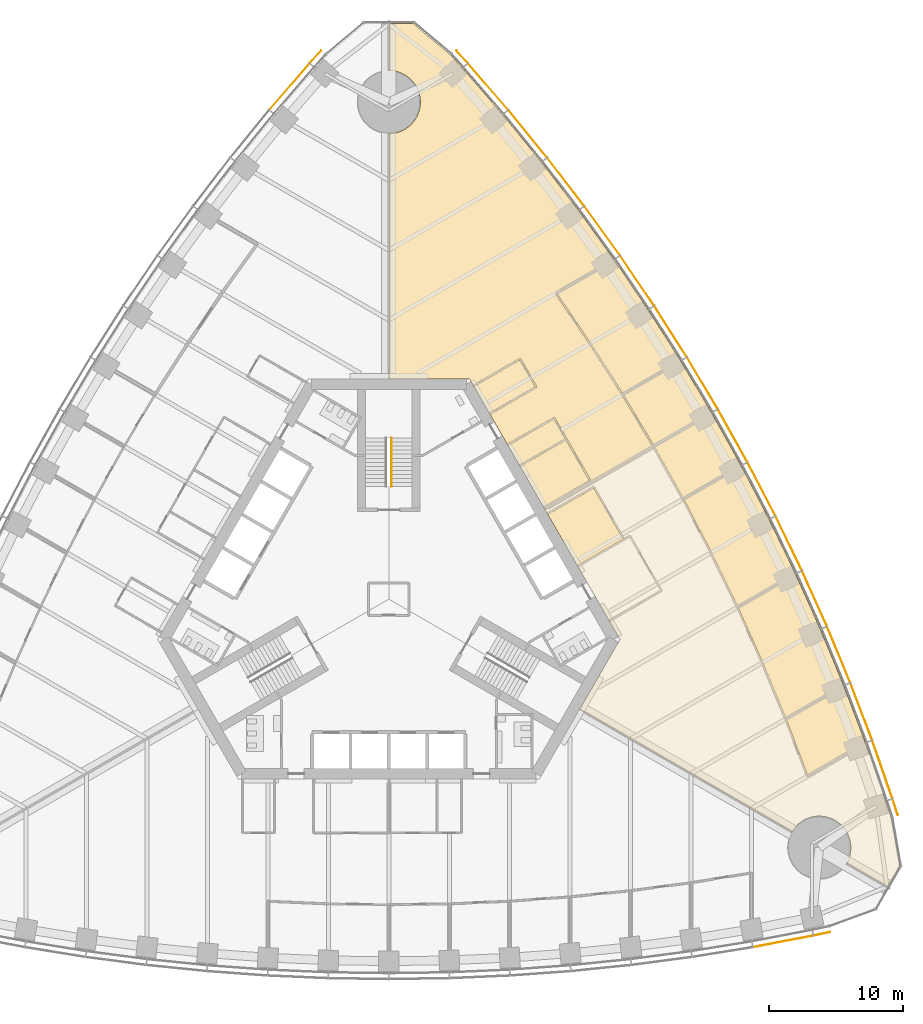
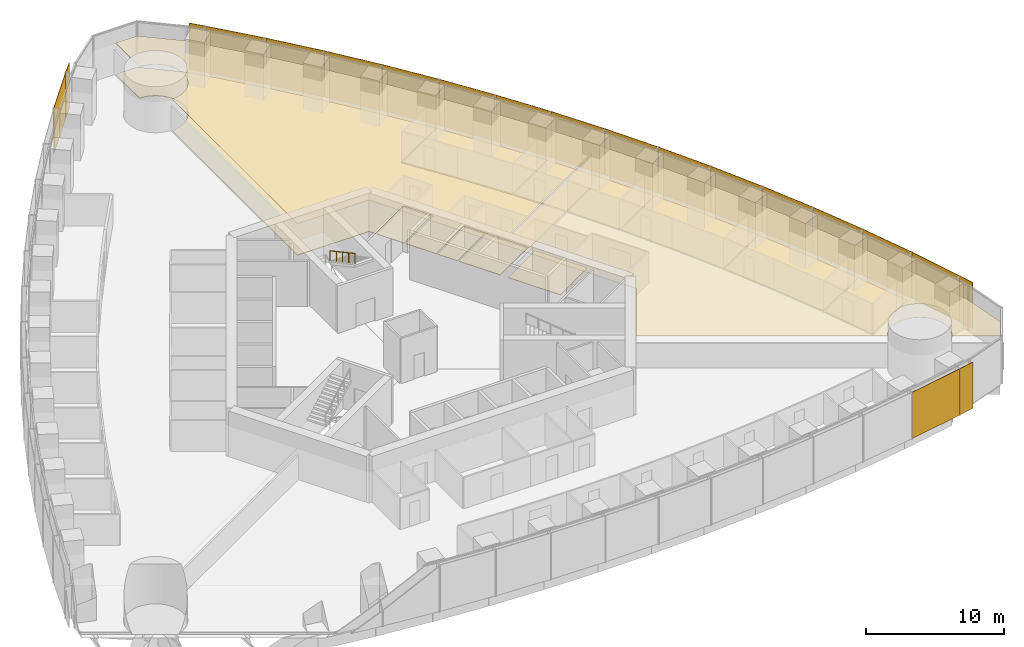
# One storey, part 17 of 19: 20 shading devices, 11 coverings, 1 railing.
"""IFC4 building model written with IfcOpenShell, lengths in metres."""

from ifc_helpers import new_model, si_unit, direction, frame, origin, origin_2d, place, context, subcontext, project, spatial, polyline, rectangle, circle, outline, extrude, material, layer, layer_set, type_object, element, save


model = new_model("IFC4")

# Units and contexts
model_context = context("Model", 3, precision=1e-05, world=origin(), true_north=direction((0.0, 1.0)))
body_context = subcontext(model_context, "Body", "Model", "MODEL_VIEW")
ifc_project = project(units=[si_unit("LENGTHUNIT", "METRE"), si_unit("AREAUNIT", "SQUARE_METRE"), si_unit("VOLUMEUNIT", "CUBIC_METRE"), si_unit("PLANEANGLEUNIT", "RADIAN"), si_unit("MASSUNIT", "GRAM", prefix="KILO")], contexts=[model_context])

# Site, building, storey
site_placement = place(None, origin())
site = spatial("IfcSite", under=ifc_project, at=site_placement, CompositionType="ELEMENT")
building_placement = place(site_placement, origin())
building = spatial("IfcBuilding", under=site, at=building_placement, Name="Trefoil Bronze Tower", CompositionType="ELEMENT")
storey_placement = place(building_placement, frame((0.0, 0.0, 20.699951171875)))
storey = spatial("IfcBuildingStorey", under=building, at=storey_placement, Name="L04", CompositionType="ELEMENT", Elevation=20.699951171875)

# Shading devices
ifc_material_1 = material(Name="Perforated bronze sheet", Category="bronze")
ifc_layer_1 = layer(ifc_material_1, 0.0400390625)
ifc_layer_set_1 = layer_set([ifc_layer_1], Name="Bronze solar screen panel")
shading_device_type = type_object("IfcShadingDeviceType", Name="Bronze solar screen panel", PredefinedType="SHUTTER", material=ifc_layer_set_1)
shading_device_1_placement = place(storey_placement, frame((29.351806640625, -25.478515625, 0.050048828125), z_axis=(0.0, 0.0, 1.0), x_axis=(0.982049823817, 0.188621694249, 0.0)))
element("IfcShadingDevice", 1, at=shading_device_1_placement, inside=storey, type_object=shading_device_type, Name="Solar screen CW-A L04 F1 bay 15", PredefinedType="SHUTTER", context=body_context, shape_type="SweptSolid", body=[
    extrude(rectangle(XDim=4.55224609375, YDim=0.0400390625, at=origin_2d()), origin(), (0.0, 0.0, 1.0), 4.10009765625),
])
for number, where, z_axis, x_axis, name in (
    (2, (32.2431640625, -24.91064453125, 0.050048828125), (0.0, 0.0, 1.0), (0.978302717041, 0.207180582657, 0.0), "Solar screen CW-A L04 F1 bay 16"),
    (3, (37.69482421875, -15.468017578125, 0.050048828125), (0.0, 0.0, 1.0), (-0.309727710769, 0.950825296877, 0.0), "Solar screen CW-A L04 F2 bay 1"),
):
    element("IfcShadingDevice", number, at=place(storey_placement, frame(where, z_axis=z_axis, x_axis=x_axis)), inside=storey, type_object=shading_device_type, Name=name, PredefinedType="SHUTTER", context=body_context, shape_type="SweptSolid", body=[
        extrude(rectangle(XDim=1.260498046875, YDim=0.0400390625, at=origin_2d()), origin(), (0.0, 0.0, 1.0), 4.10009765625),
    ])
shading_device_2_placement = place(storey_placement, frame((36.740966796875, -12.68017578125, 0.050048828125), z_axis=(0.0, 0.0, 1.0), x_axis=(-0.327673732984, 0.944790942332, 0.0)))
element("IfcShadingDevice", 4, at=shading_device_2_placement, inside=storey, type_object=shading_device_type, Name="Solar screen CW-A L04 F2 bay 2", PredefinedType="SHUTTER", context=body_context, shape_type="SweptSolid", body=[
    extrude(rectangle(XDim=4.55224609375, YDim=0.0400390625, at=origin_2d()), origin(), (0.0, 0.0, 1.0), 4.10009765625),
])
shading_device_3_placement = place(storey_placement, frame((35.1748046875, -8.3701171875, 0.050048828125), z_axis=(0.0, 0.0, 1.0), x_axis=(-0.355370585687, 0.934725492767, 0.0)))
element("IfcShadingDevice", 5, at=shading_device_3_placement, inside=storey, type_object=shading_device_type, Name="Solar screen CW-A L04 F2 bay 3", PredefinedType="SHUTTER", context=body_context, shape_type="SweptSolid", body=[
    extrude(rectangle(XDim=4.5283203125, YDim=0.0400390625, at=origin_2d()), origin(), (0.0, 0.0, 1.0), 4.10009765625),
])
shading_device_4_placement = place(storey_placement, frame((33.49072265625, -4.128173828125, 0.050048828125), z_axis=(0.0, 0.0, 1.0), x_axis=(-0.382629580712, 0.923901836758, 0.0)))
element("IfcShadingDevice", 6, at=shading_device_4_placement, inside=storey, type_object=shading_device_type, Name="Solar screen CW-A L04 F2 bay 4", PredefinedType="SHUTTER", context=body_context, shape_type="SweptSolid", body=[
    extrude(rectangle(XDim=4.5087890625, YDim=0.0400390625, at=origin_2d()), origin(), (0.0, 0.0, 1.0), 4.10009765625),
])
shading_device_5_placement = place(storey_placement, frame((31.68994140625, 0.04638671875, 0.050048828125), z_axis=(0.0, 0.0, 1.0), x_axis=(-0.40945635808, 0.912329705111, 0.0)))
element("IfcShadingDevice", 7, at=shading_device_5_placement, inside=storey, type_object=shading_device_type, Name="Solar screen CW-A L04 F2 bay 5", PredefinedType="SHUTTER", context=body_context, shape_type="SweptSolid", body=[
    extrude(rectangle(XDim=4.493408203125, YDim=0.0400390625, at=origin_2d()), origin(), (0.0, 0.0, 1.0), 4.10009765625),
])
shading_device_6_placement = place(storey_placement, frame((29.77392578125, 4.154541015625, 0.050048828125), z_axis=(0.0, 0.0, 1.0), x_axis=(-0.4358553457, 0.900016731858, 0.0)))
element("IfcShadingDevice", 8, at=shading_device_6_placement, inside=storey, type_object=shading_device_type, Name="Solar screen CW-A L04 F2 bay 6", PredefinedType="SHUTTER", context=body_context, shape_type="SweptSolid", body=[
    extrude(rectangle(XDim=4.48193359375, YDim=0.0400390625, at=origin_2d()), origin(), (0.0, 0.0, 1.0), 4.10009765625),
])
shading_device_7_placement = place(storey_placement, frame((27.74365234375, 8.1962890625, 0.050048828125), z_axis=(0.0, 0.0, 1.0), x_axis=(-0.46182981834, 0.886968555752, 0.0)))
element("IfcShadingDevice", 9, at=shading_device_7_placement, inside=storey, type_object=shading_device_type, Name="Solar screen CW-A L04 F2 bay 7", PredefinedType="SHUTTER", context=body_context, shape_type="SweptSolid", body=[
    extrude(rectangle(XDim=4.474365234375, YDim=0.0400390625, at=origin_2d()), origin(), (0.0, 0.0, 1.0), 4.10009765625),
])
for number, where, z_axis, x_axis, name in (
    (10, (25.599365234375, 12.172607421875, 0.050048828125), (0.0, 0.0, 1.0), (-0.487381940453, 0.873188893722, 0.0), "Solar screen CW-A L04 F2 bay 8"),
    (11, (23.341552734375, 16.083251953125, 0.050048828125), (0.0, 0.0, 1.0), (-0.51251279404, 0.858679588639, 0.0), "Solar screen CW-A L04 F2 bay 9"),
):
    element("IfcShadingDevice", number, at=place(storey_placement, frame(where, z_axis=z_axis, x_axis=x_axis)), inside=storey, type_object=shading_device_type, Name=name, PredefinedType="SHUTTER", context=body_context, shape_type="SweptSolid", body=[
        extrude(rectangle(XDim=4.470458984375, YDim=0.0400390625, at=origin_2d()), origin(), (0.0, 0.0, 1.0), 4.10009765625),
    ])
shading_device_8_placement = place(storey_placement, frame((20.97021484375, 19.928466796875, 0.050048828125), z_axis=(0.0, 0.0, 1.0), x_axis=(-0.537222392469, 0.843440632783, 0.0)))
element("IfcShadingDevice", 12, at=shading_device_8_placement, inside=storey, type_object=shading_device_type, Name="Solar screen CW-A L04 F2 bay 10", PredefinedType="SHUTTER", context=body_context, shape_type="SweptSolid", body=[
    extrude(rectangle(XDim=4.474365234375, YDim=0.0400390625, at=origin_2d()), origin(), (0.0, 0.0, 1.0), 4.10009765625),
])
shading_device_9_placement = place(storey_placement, frame((18.48486328125, 23.707763671875, 0.050048828125), z_axis=(0.0, 0.0, 1.0), x_axis=(-0.56150968077, 0.827470167681, 0.0)))
element("IfcShadingDevice", 13, at=shading_device_9_placement, inside=storey, type_object=shading_device_type, Name="Solar screen CW-A L04 F2 bay 11", PredefinedType="SHUTTER", context=body_context, shape_type="SweptSolid", body=[
    extrude(rectangle(XDim=4.48193359375, YDim=0.0400390625, at=origin_2d()), origin(), (0.0, 0.0, 1.0), 4.10009765625),
])
shading_device_10_placement = place(storey_placement, frame((15.88525390625, 27.421142578125, 0.050048828125), z_axis=(0.0, 0.0, 1.0), x_axis=(-0.585372522213, 0.810764460394, 0.0)))
element("IfcShadingDevice", 14, at=shading_device_10_placement, inside=storey, type_object=shading_device_type, Name="Solar screen CW-A L04 F2 bay 12", PredefinedType="SHUTTER", context=body_context, shape_type="SweptSolid", body=[
    extrude(rectangle(XDim=4.493408203125, YDim=0.0400390625, at=origin_2d()), origin(), (0.0, 0.0, 1.0), 4.10009765625),
])
shading_device_11_placement = place(storey_placement, frame((13.170166015625, 31.06787109375, 0.050048828125), z_axis=(0.0, 0.0, 1.0), x_axis=(-0.608807670879, 0.793317855515, 0.0)))
element("IfcShadingDevice", 15, at=shading_device_11_placement, inside=storey, type_object=shading_device_type, Name="Solar screen CW-A L04 F2 bay 13", PredefinedType="SHUTTER", context=body_context, shape_type="SweptSolid", body=[
    extrude(rectangle(XDim=4.5087890625, YDim=0.0400390625, at=origin_2d()), origin(), (0.0, 0.0, 1.0), 4.10009765625),
])
shading_device_12_placement = place(storey_placement, frame((10.338623046875, 34.6474609375, 0.050048828125), z_axis=(0.0, 0.0, 1.0), x_axis=(-0.631810729457, 0.775122701346, 0.0)))
element("IfcShadingDevice", 16, at=shading_device_12_placement, inside=storey, type_object=shading_device_type, Name="Solar screen CW-A L04 F2 bay 14", PredefinedType="SHUTTER", context=body_context, shape_type="SweptSolid", body=[
    extrude(rectangle(XDim=4.5283203125, YDim=0.0400390625, at=origin_2d()), origin(), (0.0, 0.0, 1.0), 4.10009765625),
])
shading_device_13_placement = place(storey_placement, frame((7.38916015625, 38.15869140625, 0.050048828125), z_axis=(0.0, 0.0, 1.0), x_axis=(-0.654376090833, 0.756169248083, 0.0)))
element("IfcShadingDevice", 17, at=shading_device_13_placement, inside=storey, type_object=shading_device_type, Name="Solar screen CW-A L04 F2 bay 15", PredefinedType="SHUTTER", context=body_context, shape_type="SweptSolid", body=[
    extrude(rectangle(XDim=4.55224609375, YDim=0.0400390625, at=origin_2d()), origin(), (0.0, 0.0, 1.0), 4.10009765625),
])
for number, where, z_axis, x_axis, name in (
    (18, (5.45166015625, 40.378662109375, 0.050048828125), (0.0, 0.0, 1.0), (-0.668575006272, 0.743644714221, 0.0), "Solar screen CW-A L04 F2 bay 16"),
    (19, (-5.45166015625, 40.378662109375, 0.050048828125), (0.0, 0.0, 1.0), (-0.668575006272, -0.743644714221, 0.0), "Solar screen CW-A L04 F3 bay 1"),
):
    element("IfcShadingDevice", number, at=place(storey_placement, frame(where, z_axis=z_axis, x_axis=x_axis)), inside=storey, type_object=shading_device_type, Name=name, PredefinedType="SHUTTER", context=body_context, shape_type="SweptSolid", body=[
        extrude(rectangle(XDim=1.260498046875, YDim=0.0400390625, at=origin_2d()), origin(), (0.0, 0.0, 1.0), 4.10009765625),
    ])
shading_device_14_placement = place(storey_placement, frame((-7.38916015625, 38.15869140625, 0.050048828125), z_axis=(0.0, 0.0, 1.0), x_axis=(-0.654376090833, -0.756169248083, 0.0)))
element("IfcShadingDevice", 20, at=shading_device_14_placement, inside=storey, type_object=shading_device_type, Name="Solar screen CW-A L04 F3 bay 2", PredefinedType="SHUTTER", context=body_context, shape_type="SweptSolid", body=[
    extrude(rectangle(XDim=4.55224609375, YDim=0.0400390625, at=origin_2d()), origin(), (0.0, 0.0, 1.0), 4.10009765625),
])

# Railing
ifc_material_2 = material(Name="Steel handrail", Category="steel")
railing_type = type_object("IfcRailingType", Name="Handrail 900", PredefinedType="HANDRAIL", material=ifc_material_2)
railing_placement = place(storey_placement, frame((0.199951171875, 11.989990234375, 2.261474609375)))
element("IfcRailing", 21, at=railing_placement, inside=storey, type_object=railing_type, Name="Handrail ST2 flight 2 L04", PredefinedType="HANDRAIL", context=body_context, shape_type="SweptSolid", body=[
    extrude(circle(Radius=0.02392578125, at=origin_2d()), frame((0.0, 0.0, 0.8759765625), z_axis=(0.0, -0.880474934443, 0.474092701714), x_axis=(1.0, 0.0, 0.0)), (0.0, 0.0, 1.0), 4.0888671875),
    extrude(circle(Radius=0.02099609375, at=origin_2d()), origin(), (0.0, 0.0, 1.0), 0.851806640625),
    extrude(circle(Radius=0.02099609375, at=origin_2d()), frame((0.0, -0.89990234375, 0.484619140625)), (0.0, 0.0, 1.0), 0.851806640625),
    extrude(circle(Radius=0.02099609375, at=origin_2d()), frame((0.0, -1.800048828125, 0.96923828125)), (0.0, 0.0, 1.0), 0.851806640625),
    extrude(circle(Radius=0.02099609375, at=origin_2d()), frame((0.0, -2.7001953125, 1.453857421875)), (0.0, 0.0, 1.0), 0.851806640625),
    extrude(circle(Radius=0.02099609375, at=origin_2d()), frame((0.0, -3.60009765625, 1.9384765625)), (0.0, 0.0, 1.0), 0.851806640625),
])

# Coverings
ifc_material_3 = material(Name="Acoustic ceiling panels", Category="mineral fibre")
ifc_layer_2 = layer(ifc_material_3, 0.02001953125)
ifc_layer_set_2 = layer_set([ifc_layer_2], Name="Office ceiling 20")
covering_type_1 = type_object("IfcCoveringType", Name="Office ceiling 20", PredefinedType="CEILING", material=ifc_layer_set_2)
covering_1_placement = place(storey_placement, frame((0.0, 0.0, 2.900146484375)))
element("IfcCovering", 22, at=covering_1_placement, inside=storey, type_object=covering_type_1, Name="Ceiling L04 Open-plan office F2", PredefinedType="CEILING", context=body_context, shape_type="SweptSolid", body=[
    extrude(outline(polyline([(5.4814453125, 39.537841796875), (8.47998046875, 36.072998046875), (11.360107421875, 32.53955078125), (14.123291015625, 28.938720703125), (16.771240234375, 25.271484375), (19.3046875, 21.537841796875), (21.724609375, 17.73876953125), (24.031005859375, 13.87451171875), (26.224609375, 9.944580078125), (28.3046875, 5.949462890625), (30.271240234375, 1.888671875), (32.123291015625, -2.23828125), (33.860107421875, -6.431640625), (35.47998046875, -10.6923828125), (36.9814453125, -15.021728515625), (37.381103515625, -16.248779296875), (38.0146484375, -19.841552734375), (37.110595703125, -21.4072265625), (34.084716796875, -19.661865234375), (34.115478515625, -19.60791015625), (34.167236328125, -19.5048828125), (34.214111328125, -19.3994140625), (34.255615234375, -19.291748046875), (34.291748046875, -19.18212890625), (34.322509765625, -19.071044921875), (34.347900390625, -18.95849609375), (34.367431640625, -18.8447265625), (34.381591796875, -18.730224609375), (34.39013671875, -18.615234375), (34.392822265625, -18.5), (34.39013671875, -18.384765625), (34.381591796875, -18.269775390625), (34.367431640625, -18.1552734375), (34.347900390625, -18.04150390625), (34.322509765625, -17.928955078125), (34.291748046875, -17.81787109375), (34.255615234375, -17.708251953125), (34.214111328125, -17.6005859375), (34.167236328125, -17.4951171875), (34.115478515625, -17.39208984375), (34.05859375, -17.2919921875), (33.996826171875, -17.1943359375), (33.930419921875, -17.10009765625), (33.859619140625, -17.00927734375), (33.7841796875, -16.921875), (33.70458984375, -16.83837890625), (33.62109375, -16.7587890625), (33.53369140625, -16.683349609375), (33.44287109375, -16.612548828125), (33.348388671875, -16.5458984375), (33.251220703125, -16.484375), (33.150634765625, -16.427490234375), (33.047607421875, -16.37548828125), (32.942138671875, -16.328857421875), (32.834716796875, -16.287353515625), (32.72509765625, -16.251220703125), (32.614013671875, -16.220458984375), (32.50146484375, -16.1953125), (32.3876953125, -16.17529296875), (32.273193359375, -16.161376953125), (32.158203125, -16.15283203125), (32.04296875, -16.14990234375), (31.927490234375, -16.15283203125), (31.8125, -16.161376953125), (31.697998046875, -16.17529296875), (31.58447265625, -16.1953125), (31.471923828125, -16.220458984375), (31.36083984375, -16.251220703125), (31.251220703125, -16.287353515625), (31.1435546875, -16.328857421875), (31.0380859375, -16.37548828125), (30.935302734375, -16.427490234375), (30.834716796875, -16.484375), (30.7373046875, -16.5458984375), (30.64306640625, -16.612548828125), (30.552001953125, -16.683349609375), (30.46484375, -16.7587890625), (30.381103515625, -16.83837890625), (30.3017578125, -16.921875), (30.226318359375, -17.00927734375), (30.155517578125, -17.10009765625), (30.089111328125, -17.1943359375), (30.02734375, -17.2919921875), (30.0146484375, -17.31396484375), (14.205810546875, -8.194580078125), (17.205078125, -3.0), (6.00439453125, 16.39990234375), (0.006103515625, 16.39990234375), (0.012939453125, 34.650390625), (0.115234375, 34.65283203125), (0.230224609375, 34.661376953125), (0.3447265625, 34.67529296875), (0.45849609375, 34.6953125), (0.571044921875, 34.720458984375), (0.68212890625, 34.751220703125), (0.791748046875, 34.787353515625), (0.8994140625, 34.828857421875), (1.0048828125, 34.87548828125), (1.10791015625, 34.927490234375), (1.2080078125, 34.984375), (1.3056640625, 35.0458984375), (1.39990234375, 35.112548828125), (1.49072265625, 35.183349609375), (1.578125, 35.2587890625), (1.66162109375, 35.33837890625), (1.7412109375, 35.421875), (1.816650390625, 35.50927734375), (1.887451171875, 35.60009765625), (1.9541015625, 35.6943359375), (2.015625, 35.7919921875), (2.072509765625, 35.89208984375), (2.12451171875, 35.9951171875), (2.171142578125, 36.1005859375), (2.212646484375, 36.208251953125), (2.248779296875, 36.31787109375), (2.279541015625, 36.428955078125), (2.3046875, 36.54150390625), (2.32470703125, 36.6552734375), (2.338623046875, 36.769775390625), (2.34716796875, 36.884765625), (2.35009765625, 37.0), (2.34716796875, 37.115234375), (2.338623046875, 37.230224609375), (2.32470703125, 37.3447265625), (2.3046875, 37.45849609375), (2.279541015625, 37.571044921875), (2.248779296875, 37.68212890625), (2.212646484375, 37.791748046875), (2.171142578125, 37.8994140625), (2.12451171875, 38.0048828125), (2.072509765625, 38.10791015625), (2.015625, 38.2080078125), (1.9541015625, 38.3056640625), (1.887451171875, 38.39990234375), (1.816650390625, 38.49072265625), (1.7412109375, 38.578125), (1.66162109375, 38.66162109375), (1.578125, 38.7412109375), (1.49072265625, 38.816650390625), (1.39990234375, 38.887451171875), (1.3056640625, 38.9541015625), (1.2080078125, 39.015625), (1.10791015625, 39.072509765625), (1.0048828125, 39.12451171875), (0.8994140625, 39.171142578125), (0.791748046875, 39.212646484375), (0.68212890625, 39.248779296875), (0.571044921875, 39.279541015625), (0.45849609375, 39.3046875), (0.3447265625, 39.32470703125), (0.230224609375, 39.338623046875), (0.115234375, 39.34716796875), (0.014892578125, 39.349609375), (0.01611328125, 42.84228515625), (1.82421875, 42.84228515625), (4.618896484375, 40.497314453125), (5.4814453125, 39.537841796875)])), origin(), (0.0, 0.0, 1.0), 0.02001953125),
])
ifc_material_4 = material(Name="Raised access floor panels", Category="steel")
ifc_layer_3 = layer(ifc_material_4, 0.050048828125)
ifc_layer_set_3 = layer_set([ifc_layer_3], Name="Raised access floor 150")
covering_type_2 = type_object("IfcCoveringType", Name="Raised access floor 150", PredefinedType="FLOORING", material=ifc_layer_set_3)
covering_2_placement = place(storey_placement, frame((0.0, 0.0, 0.10009765625)))
element("IfcCovering", 23, at=covering_2_placement, inside=storey, type_object=covering_type_2, Name="Raised floor L04 Project room F2", PredefinedType="FLOORING", context=body_context, shape_type="SweptSolid", body=[
    extrude(outline(polyline([(11.834716796875, 6.301513671875), (15.246826171875, 8.271484375), (17.43701171875, 4.478515625), (14.024658203125, 2.50830078125), (11.834716796875, 6.301513671875)])), origin(), (0.0, 0.0, 1.0), 0.050048828125),
])
covering_3_placement = place(storey_placement, frame((0.0, 0.0, 0.10009765625)))
element("IfcCovering", 24, at=covering_3_placement, inside=storey, type_object=covering_type_2, Name="Raised floor L04 Meeting room F2", PredefinedType="FLOORING", context=body_context, shape_type="SweptSolid", body=[
    extrude(outline(polyline([(9.772216796875, 9.8740234375), (13.184326171875, 11.843994140625), (14.92431640625, 8.830078125), (11.51220703125, 6.860107421875), (9.772216796875, 9.8740234375)])), origin(), (0.0, 0.0, 1.0), 0.050048828125),
])
covering_4_placement = place(storey_placement, frame((0.0, 0.0, 0.10009765625)))
element("IfcCovering", 25, at=covering_4_placement, inside=storey, type_object=covering_type_2, Name="Raised floor L04 Phone room F2", PredefinedType="FLOORING", context=body_context, shape_type="SweptSolid", body=[
    extrude(outline(polyline([(8.872314453125, 11.432861328125), (12.284423828125, 13.40283203125), (13.12451171875, 11.947998046875), (9.712158203125, 9.977783203125), (8.872314453125, 11.432861328125)])), origin(), (0.0, 0.0, 1.0), 0.050048828125),
])
covering_5_placement = place(storey_placement, frame((0.0, 0.0, 0.10009765625)))
element("IfcCovering", 26, at=covering_5_placement, inside=storey, type_object=covering_type_2, Name="Raised floor L04 Comms room F2", PredefinedType="FLOORING", context=body_context, shape_type="SweptSolid", body=[
    extrude(outline(polyline([(6.334716796875, 15.827880859375), (9.746826171875, 17.7978515625), (10.886962890625, 15.823486328125), (7.474609375, 13.853515625), (6.334716796875, 15.827880859375)])), origin(), (0.0, 0.0, 1.0), 0.050048828125),
])
covering_6_placement = place(storey_placement, frame((0.0, 0.0, 0.10009765625)))
element("IfcCovering", 27, at=covering_6_placement, inside=storey, type_object=covering_type_2, Name="Raised floor L04 Executive office F2", PredefinedType="FLOORING", context=body_context, shape_type="SweptSolid", body=[
    extrude(outline(polyline([(21.724609375, 17.73876953125), (20.355712890625, 16.948486328125), (20.32568359375, 17.00048828125), (17.414306640625, 15.319580078125), (15.025146484375, 19.070068359375), (14.974609375, 19.037841796875), (15.0244140625, 19.071533203125), (12.527099609375, 22.751708984375), (15.427734375, 24.426513671875), (15.397705078125, 24.478515625), (16.771240234375, 25.271484375), (19.3046875, 21.537841796875), (21.724609375, 17.73876953125)])), origin(), (0.0, 0.0, 1.0), 0.050048828125),
])
covering_7_placement = place(storey_placement, frame((0.0, 0.0, 0.10009765625)))
element("IfcCovering", 28, at=covering_7_placement, inside=storey, type_object=covering_type_2, Name="Raised floor L04 Executive office F2", PredefinedType="FLOORING", context=body_context, shape_type="SweptSolid", body=[
    extrude(outline(polyline([(24.031005859375, 13.87451171875), (26.224609375, 9.944580078125), (24.855712890625, 9.154296875), (24.82568359375, 9.206298828125), (21.9169921875, 7.527099609375), (19.78955078125, 11.3388671875), (22.7001953125, 13.019287109375), (22.625244140625, 13.1494140625), (19.714599609375, 11.46875), (17.47705078125, 15.21728515625), (20.385498046875, 16.896484375), (20.355712890625, 16.948486328125), (21.724609375, 17.73876953125), (24.031005859375, 13.87451171875)])), origin(), (0.0, 0.0, 1.0), 0.050048828125),
])
covering_8_placement = place(storey_placement, frame((0.0, 0.0, 0.10009765625)))
element("IfcCovering", 29, at=covering_8_placement, inside=storey, type_object=covering_type_2, Name="Raised floor L04 Executive office F2", PredefinedType="FLOORING", context=body_context, shape_type="SweptSolid", body=[
    extrude(outline(polyline([(28.3046875, 5.949462890625), (30.271240234375, 1.888671875), (28.897705078125, 1.095703125), (28.867919921875, 1.147705078125), (25.967041015625, -0.527099609375), (24.028564453125, 3.4755859375), (23.974609375, 3.449462890625), (24.02783203125, 3.477294921875), (21.97412109375, 7.42138671875), (24.885498046875, 9.102294921875), (24.855712890625, 9.154296875), (26.224609375, 9.944580078125), (28.3046875, 5.949462890625)])), origin(), (0.0, 0.0, 1.0), 0.050048828125),
])
covering_9_placement = place(storey_placement, frame((0.0, 0.0, 0.10009765625)))
element("IfcCovering", 30, at=covering_9_placement, inside=storey, type_object=covering_type_2, Name="Raised floor L04 Executive office F2", PredefinedType="FLOORING", context=body_context, shape_type="SweptSolid", body=[
    extrude(outline(polyline([(32.123291015625, -2.23828125), (33.860107421875, -6.431640625), (32.477294921875, -7.22998046875), (32.447265625, -7.177978515625), (29.55908203125, -8.845458984375), (27.8486328125, -4.715087890625), (27.793212890625, -4.73828125), (27.847900390625, -4.713623046875), (26.01806640625, -0.63623046875), (28.927734375, 1.043701171875), (28.897705078125, 1.095703125), (30.271240234375, 1.888671875), (32.123291015625, -2.23828125)])), origin(), (0.0, 0.0, 1.0), 0.050048828125),
])
covering_10_placement = place(storey_placement, frame((0.0, 0.0, 0.10009765625)))
element("IfcCovering", 31, at=covering_10_placement, inside=storey, type_object=covering_type_2, Name="Raised floor L04 Meeting room F2", PredefinedType="FLOORING", context=body_context, shape_type="SweptSolid", body=[
    extrude(outline(polyline([(33.860107421875, -6.431640625), (35.47998046875, -10.6923828125), (34.090576171875, -11.49462890625), (34.060546875, -11.442626953125), (31.180908203125, -13.105224609375), (29.604248046875, -8.9580078125), (32.507080078125, -7.281982421875), (32.477294921875, -7.22998046875), (33.860107421875, -6.431640625)])), origin(), (0.0, 0.0, 1.0), 0.050048828125),
])
covering_11_placement = place(storey_placement, frame((0.0, 0.0, 0.10009765625)))
element("IfcCovering", 32, at=covering_11_placement, inside=storey, type_object=covering_type_2, Name="Raised floor L04 Open-plan office F2", PredefinedType="FLOORING", context=body_context, shape_type="SweptSolid", body=[
    extrude(outline(polyline([(8.47998046875, 36.072998046875), (11.360107421875, 32.53955078125), (14.123291015625, 28.938720703125), (16.771240234375, 25.271484375), (15.397705078125, 24.478515625), (15.367919921875, 24.5302734375), (12.4111328125, 22.8232421875), (12.441162109375, 22.771484375), (12.3916015625, 22.73779296875), (14.711181640625, 19.319091796875), (15.128173828125, 18.685302734375), (17.34326171875, 15.207275390625), (19.462158203125, 11.65771484375), (19.60693359375, 11.40673828125), (15.03125, 8.764892578125), (15.00634765625, 8.808349609375), (15.058349609375, 8.83837890625), (12.3583984375, 13.514892578125), (12.306396484375, 13.48486328125), (12.2763671875, 13.536865234375), (8.812255859375, 11.536865234375), (7.53466796875, 13.74951171875), (10.998779296875, 15.74951171875), (10.96875, 15.801513671875), (11.020751953125, 15.831298828125), (9.82080078125, 17.909912109375), (9.768798828125, 17.8798828125), (9.73876953125, 17.931884765625), (6.274658203125, 15.931884765625), (6.00439453125, 16.39990234375), (0.006103515625, 16.39990234375), (0.012939453125, 34.650390625), (0.115234375, 34.65283203125), (0.230224609375, 34.661376953125), (0.3447265625, 34.67529296875), (0.45849609375, 34.6953125), (0.571044921875, 34.720458984375), (0.68212890625, 34.751220703125), (0.791748046875, 34.787353515625), (0.8994140625, 34.828857421875), (1.0048828125, 34.87548828125), (1.10791015625, 34.927490234375), (1.2080078125, 34.984375), (1.3056640625, 35.0458984375), (1.39990234375, 35.112548828125), (1.49072265625, 35.183349609375), (1.578125, 35.2587890625), (1.66162109375, 35.33837890625), (1.7412109375, 35.421875), (1.816650390625, 35.50927734375), (1.887451171875, 35.60009765625), (1.9541015625, 35.6943359375), (2.015625, 35.7919921875), (2.072509765625, 35.89208984375), (2.12451171875, 35.9951171875), (2.171142578125, 36.1005859375), (2.212646484375, 36.208251953125), (2.248779296875, 36.31787109375), (2.279541015625, 36.428955078125), (2.3046875, 36.54150390625), (2.32470703125, 36.6552734375), (2.338623046875, 36.769775390625), (2.34716796875, 36.884765625), (2.35009765625, 37.0), (2.34716796875, 37.115234375), (2.338623046875, 37.230224609375), (2.32470703125, 37.3447265625), (2.3046875, 37.45849609375), (2.279541015625, 37.571044921875), (2.248779296875, 37.68212890625), (2.212646484375, 37.791748046875), (2.171142578125, 37.8994140625), (2.12451171875, 38.0048828125), (2.072509765625, 38.10791015625), (2.015625, 38.2080078125), (1.9541015625, 38.3056640625), (1.887451171875, 38.39990234375), (1.816650390625, 38.49072265625), (1.7412109375, 38.578125), (1.66162109375, 38.66162109375), (1.578125, 38.7412109375), (1.49072265625, 38.816650390625), (1.39990234375, 38.887451171875), (1.3056640625, 38.9541015625), (1.2080078125, 39.015625), (1.10791015625, 39.072509765625), (1.0048828125, 39.12451171875), (0.8994140625, 39.171142578125), (0.791748046875, 39.212646484375), (0.68212890625, 39.248779296875), (0.571044921875, 39.279541015625), (0.45849609375, 39.3046875), (0.3447265625, 39.32470703125), (0.230224609375, 39.338623046875), (0.115234375, 39.34716796875), (0.014892578125, 39.349609375), (0.01611328125, 42.84228515625), (1.82421875, 42.84228515625), (4.618896484375, 40.497314453125), (5.4814453125, 39.537841796875), (8.47998046875, 36.072998046875)])), origin(), (0.0, 0.0, 1.0), 0.050048828125),
])

save(model, "model.ifc")
